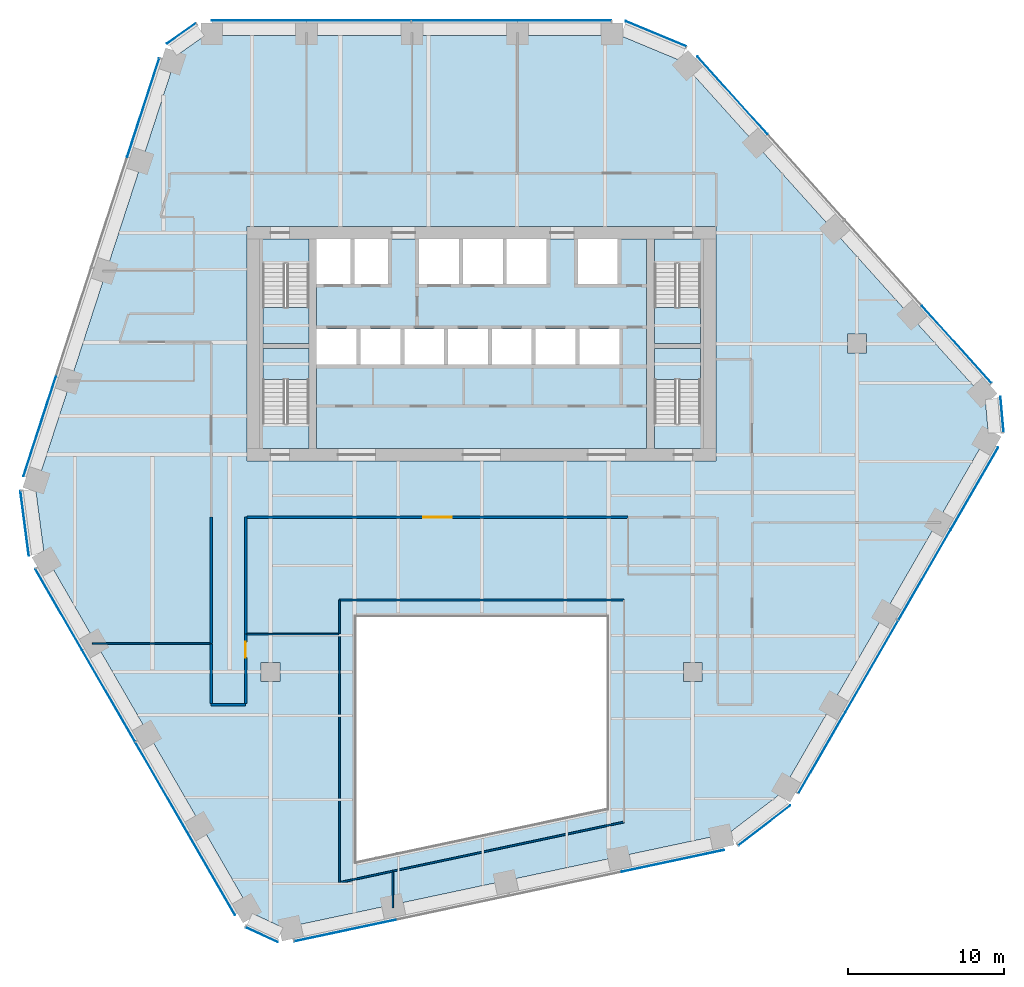
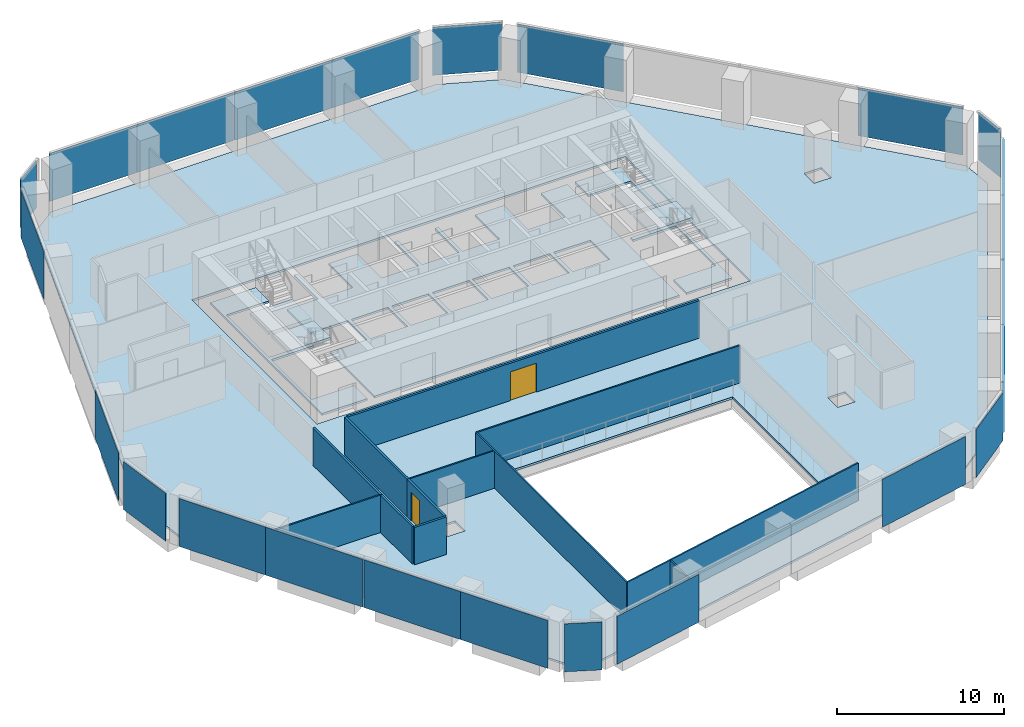
# One storey, part 10 of 16: 24 plates, 12 walls, 8 slabs, 2 doors, 2 openings, 16 elements without a shape of their own.
"""IFC4 building model written with IfcOpenShell, lengths in metres."""

from ifc_helpers import new_model, si_unit, direction, frame, frame_2d, origin, origin_2d, place, context, subcontext, project, spatial, polyline, rectangle, outline, extrude, material, layer, layer_set, type_object, element, fill, aggregate, save


model = new_model("IFC4")

# Units and contexts
model_context = context("Model", 3, precision=1e-05, world=origin(), true_north=direction((0.0, 1.0)))
body_context = subcontext(model_context, "Body", "Model", "MODEL_VIEW")
ifc_project = project(units=[si_unit("LENGTHUNIT", "METRE"), si_unit("AREAUNIT", "SQUARE_METRE"), si_unit("VOLUMEUNIT", "CUBIC_METRE"), si_unit("PLANEANGLEUNIT", "RADIAN"), si_unit("MASSUNIT", "GRAM", prefix="KILO")], contexts=[model_context])

# Site, building, storey
site_placement = place(None, origin())
site = spatial("IfcSite", under=ifc_project, at=site_placement, CompositionType="ELEMENT")
building_placement = place(site_placement, origin())
building = spatial("IfcBuilding", under=site, at=building_placement, Name="Isthmus Gate Tower", CompositionType="ELEMENT")
storey_placement = place(building_placement, frame((0.0, 0.0, 155.35009765625)))
storey = spatial("IfcBuildingStorey", under=building, at=storey_placement, Name="L38", CompositionType="ELEMENT", Elevation=155.35009765625)

# Slabs
ifc_material_1 = material(Name="Concrete f'c 40 MPa", Category="concrete")
ifc_layer_1 = layer(ifc_material_1, 0.14990234375)
ifc_layer_set_1 = layer_set([ifc_layer_1], Name="COMPOSITE FLOOR SLAB 150")
slab_type_1 = type_object("IfcSlabType", Name="COMPOSITE FLOOR SLAB 150", PredefinedType="FLOOR", material=ifc_layer_set_1)
slab_1_placement = place(storey_placement, frame((0.0, 0.0, -0.150146484375)))
element("IfcSlab", 1, at=slab_1_placement, inside=storey, type_object=slab_type_1, Name="str-slab-L38-1", PredefinedType="FLOOR", context=body_context, shape_type="SweptSolid", body=[
    extrude(outline(polyline([(12.72802734375, 25.599365234375), (32.21044921875, 3.9619140625), (32.410400390625, 1.736083984375), (19.116455078125, -21.289306640625), (15.8056640625, -23.822509765625), (-12.674072265625, -29.876220703125), (-14.701416015625, -28.936279296875), (-27.995361328125, -5.91064453125), (-28.53369140625, -1.77685546875), (-19.536376953125, 25.9140625), (-17.708740234375, 27.199951171875), (8.87890625, 27.199951171875), (12.72802734375, 25.599365234375)]), holes=[polyline([(-8.0, -10.0), (-8.0, -25.611083984375), (8.0, -22.210205078125), (8.0, -10.0), (-8.0, -10.0)]), polyline([(-14.10009765625, -12.89990234375), (-14.10009765625, -14.10009765625), (-12.89990234375, -14.10009765625), (-12.89990234375, -12.89990234375), (-14.10009765625, -12.89990234375)]), polyline([(14.10009765625, -12.89990234375), (12.89990234375, -12.89990234375), (12.89990234375, -14.10009765625), (14.10009765625, -14.10009765625), (14.10009765625, -12.89990234375)]), polyline([(-15.0, 15.0), (-15.0, 0.0), (15.0, 0.0), (15.0, 15.0), (-15.0, 15.0)]), polyline([(24.60009765625, 6.89990234375), (24.60009765625, 8.10009765625), (23.39990234375, 8.10009765625), (23.39990234375, 6.89990234375), (24.60009765625, 6.89990234375)])]), origin(), (0.0, 0.0, 1.0), 0.150146484375),
])
ifc_material_2 = material(Name="Concrete f'c 40 MPa", Category="concrete")
ifc_layer_2 = layer(ifc_material_2, 0.14990234375)
ifc_layer_set_2 = layer_set([ifc_layer_2], Name="CORE FLOOR SLAB 150")
slab_type_2 = type_object("IfcSlabType", Name="CORE FLOOR SLAB 150", PredefinedType="FLOOR", material=ifc_layer_set_2)
slab_2_placement = place(storey_placement, frame((0.0, 0.0, -0.150146484375)))
element("IfcSlab", 2, at=slab_2_placement, inside=storey, type_object=slab_type_2, Name="L38 core floor", PredefinedType="FLOOR", context=body_context, shape_type="SweptSolid", body=[
    extrude(outline(polyline([(-11.050048828125, 0.800048828125), (-11.050048828125, 2.402099609375), (-14.0, 2.402099609375), (-14.0, 7.199951171875), (-11.050048828125, 7.199951171875), (-11.050048828125, 7.5), (-14.0, 7.5), (-14.0, 12.597900390625), (-11.050048828125, 12.597900390625), (-11.050048828125, 14.199951171875), (-14.199951171875, 14.199951171875), (-14.199951171875, 0.800048828125), (-11.050048828125, 0.800048828125)])), origin(), (0.0, 0.0, 1.0), 0.150146484375),
])
slab_3_placement = place(storey_placement, frame((0.0, 0.0, -0.150146484375)))
element("IfcSlab", 3, at=slab_3_placement, inside=storey, type_object=slab_type_2, Name="L38 core floor", PredefinedType="FLOOR", context=body_context, shape_type="SweptSolid", body=[
    extrude(outline(polyline([(10.550048828125, 14.199951171875), (8.699951171875, 14.199951171875), (8.699951171875, 11.300048828125), (6.14990234375, 11.300048828125), (6.14990234375, 14.199951171875), (4.14990234375, 14.199951171875), (4.14990234375, 11.300048828125), (1.60009765625, 11.300048828125), (1.60009765625, 14.199951171875), (1.35009765625, 14.199951171875), (1.35009765625, 11.300048828125), (-1.199951171875, 11.300048828125), (-1.199951171875, 14.199951171875), (-1.449951171875, 14.199951171875), (-1.449951171875, 11.300048828125), (-4.0, 11.300048828125), (-4.0, 14.199951171875), (-6.0, 14.199951171875), (-6.0, 11.300048828125), (-8.14990234375, 11.300048828125), (-8.14990234375, 14.199951171875), (-8.39990234375, 14.199951171875), (-8.39990234375, 11.300048828125), (-10.550048828125, 11.300048828125), (-10.550048828125, 8.449951171875), (-8.0, 8.449951171875), (-8.0, 6.14990234375), (-10.550048828125, 6.14990234375), (-10.550048828125, 0.800048828125), (10.550048828125, 0.800048828125), (10.550048828125, 14.199951171875)]), holes=[polyline([(-5.199951171875, 8.449951171875), (-5.199951171875, 6.14990234375), (-7.75, 6.14990234375), (-7.75, 8.449951171875), (-5.199951171875, 8.449951171875)]), polyline([(-2.39990234375, 8.449951171875), (-2.39990234375, 6.14990234375), (-4.949951171875, 6.14990234375), (-4.949951171875, 8.449951171875), (-2.39990234375, 8.449951171875)]), polyline([(0.39990234375, 8.449951171875), (0.39990234375, 6.14990234375), (-2.14990234375, 6.14990234375), (-2.14990234375, 8.449951171875), (0.39990234375, 8.449951171875)]), polyline([(3.199951171875, 8.449951171875), (3.199951171875, 6.14990234375), (0.64990234375, 6.14990234375), (0.64990234375, 8.449951171875), (3.199951171875, 8.449951171875)]), polyline([(6.0, 8.449951171875), (6.0, 6.14990234375), (3.449951171875, 6.14990234375), (3.449951171875, 8.449951171875), (6.0, 8.449951171875)]), polyline([(8.800048828125, 8.449951171875), (8.800048828125, 6.14990234375), (6.25, 6.14990234375), (6.25, 8.449951171875), (8.800048828125, 8.449951171875)])]), origin(), (0.0, 0.0, 1.0), 0.150146484375),
])
slab_4_placement = place(storey_placement, frame((0.0, 0.0, -0.150146484375)))
element("IfcSlab", 4, at=slab_4_placement, inside=storey, type_object=slab_type_2, Name="L38 core floor", PredefinedType="FLOOR", context=body_context, shape_type="SweptSolid", body=[
    extrude(outline(polyline([(11.050048828125, 14.199951171875), (11.050048828125, 12.597900390625), (14.0, 12.597900390625), (14.0, 7.5), (11.050048828125, 7.5), (11.050048828125, 7.199951171875), (14.0, 7.199951171875), (14.0, 2.402099609375), (11.050048828125, 2.402099609375), (11.050048828125, 0.800048828125), (14.199951171875, 0.800048828125), (14.199951171875, 14.199951171875), (11.050048828125, 14.199951171875)])), origin(), (0.0, 0.0, 1.0), 0.150146484375),
])

# Curtain wall, plates
ifc_material_3 = material(Name="Aluminium, pale champagne anodised", Category="aluminium")
ifc_layer_3 = layer(ifc_material_3, 0.199951171875)
ifc_layer_set_3 = layer_set([ifc_layer_3], Name="CW-1 UNITISED CURTAIN WALL 200 DEEP")
curtain_wall_type = type_object("IfcCurtainWallType", Name="CW-1 UNITISED CURTAIN WALL 200 DEEP", PredefinedType="NOTDEFINED", material=ifc_layer_set_3)
curtain_wall_1_placement = place(storey_placement, origin())
curtain_wall_1 = element("IfcCurtainWall", 5, at=curtain_wall_1_placement, inside=storey, type_object=curtain_wall_type, Name="CW-1 N L38", PredefinedType="NOTDEFINED")
ifc_material_4 = material(Name="Laminated low-iron glass, pale blue tint", Category="glass")
ifc_layer_4 = layer(ifc_material_4, 0.035888671875)
ifc_layer_set_4 = layer_set([ifc_layer_4], Name="CW-1 CLEAR GLASS LITE 36")
plate_type = type_object("IfcPlateType", Name="CW-1 CLEAR GLASS LITE 36", PredefinedType="CURTAIN_PANEL", material=ifc_layer_set_4)
plate_1_placement = place(storey_placement, frame((5.283447265625, 28.181884765625, 0.0), z_axis=(0.0, 0.0, 1.0), x_axis=(-1.0, 0.0, 0.0)))
plate_1 = element("IfcPlate", 6, at=plate_1_placement, type_object=plate_type, Name="CW-1 glass lite", PredefinedType="CURTAIN_PANEL", context=body_context, shape_type="SweptSolid", body=[
    extrude(rectangle(XDim=5.990234375, YDim=0.035888671875, at=origin_2d()), origin(), (0.0, 0.0, 1.0), 3.510009765625),
])
plate_2_placement = place(storey_placement, frame((-1.086669921875, 28.181884765625, 0.0), z_axis=(0.0, 0.0, 1.0), x_axis=(-1.0, 0.0, 0.0)))
plate_2 = element("IfcPlate", 7, at=plate_2_placement, type_object=plate_type, Name="CW-1 glass lite", PredefinedType="CURTAIN_PANEL", context=body_context, shape_type="SweptSolid", body=[
    extrude(rectangle(XDim=6.750244140625, YDim=0.035888671875, at=origin_2d()), origin(), (0.0, 0.0, 1.0), 3.510009765625),
])
plate_3_placement = place(storey_placement, frame((-7.86669921875, 28.181884765625, 0.0), z_axis=(0.0, 0.0, 1.0), x_axis=(-1.0, 0.0, 0.0)))
plate_3 = element("IfcPlate", 8, at=plate_3_placement, type_object=plate_type, Name="CW-1 glass lite", PredefinedType="CURTAIN_PANEL", context=body_context, shape_type="SweptSolid", body=[
    extrude(rectangle(XDim=6.690185546875, YDim=0.035888671875, at=origin_2d()), origin(), (0.0, 0.0, 1.0), 3.510009765625),
])
plate_4_placement = place(storey_placement, frame((-14.23681640625, 28.181884765625, 0.0), z_axis=(0.0, 0.0, 1.0), x_axis=(-1.0, 0.0, 0.0)))
plate_4 = element("IfcPlate", 9, at=plate_4_placement, type_object=plate_type, Name="CW-1 glass lite", PredefinedType="CURTAIN_PANEL", context=body_context, shape_type="SweptSolid", body=[
    extrude(rectangle(XDim=6.050048828125, YDim=0.035888671875, at=origin_2d()), origin(), (0.0, 0.0, 1.0), 3.510009765625),
])
aggregate(curtain_wall_1, [plate_1, plate_2, plate_3, plate_4])

# Curtain wall, plate
curtain_wall_2_placement = place(storey_placement, origin())
curtain_wall_2 = element("IfcCurtainWall", 10, at=curtain_wall_2_placement, inside=storey, type_object=curtain_wall_type, Name="CW-1 N-NW L38", PredefinedType="NOTDEFINED")
plate_5_placement = place(storey_placement, frame((-19.2119140625, 27.343017578125, 0.0), z_axis=(0.0, 0.0, 1.0), x_axis=(-0.81785959165, -0.57541783805, 0.0)))
plate_5 = element("IfcPlate", 11, at=plate_5_placement, type_object=plate_type, Name="CW-1 glass lite", PredefinedType="CURTAIN_PANEL", context=body_context, shape_type="SweptSolid", body=[
    extrude(rectangle(XDim=2.258544921875, YDim=0.035888671875, at=origin_2d()), origin(), (0.0, 0.0, 1.0), 3.510009765625),
])
aggregate(curtain_wall_2, [plate_5])

# Curtain wall, plates
curtain_wall_3_placement = place(storey_placement, origin())
curtain_wall_3 = element("IfcCurtainWall", 12, at=curtain_wall_3_placement, inside=storey, type_object=curtain_wall_type, Name="CW-1 NW L38", PredefinedType="NOTDEFINED")
plate_6_placement = place(storey_placement, frame((-21.647216796875, 22.59521484375, 0.0), z_axis=(0.0, 0.0, 1.0), x_axis=(-0.309016994375, -0.951056516295, 0.0)))
plate_6 = element("IfcPlate", 13, at=plate_6_placement, type_object=plate_type, Name="CW-1 glass lite", PredefinedType="CURTAIN_PANEL", context=body_context, shape_type="SweptSolid", body=[
    extrude(rectangle(XDim=6.630859375, YDim=0.035888671875, at=origin_2d()), origin(), (0.0, 0.0, 1.0), 3.510009765625),
])
plate_7_placement = place(storey_placement, frame((-28.2734375, 2.202392578125, 0.0), z_axis=(0.0, 0.0, 1.0), x_axis=(-0.309016994375, -0.951056516295, 0.0)))
plate_7 = element("IfcPlate", 14, at=plate_7_placement, type_object=plate_type, Name="CW-1 glass lite", PredefinedType="CURTAIN_PANEL", context=body_context, shape_type="SweptSolid", body=[
    extrude(rectangle(XDim=6.690673828125, YDim=0.035888671875, at=origin_2d()), origin(), (0.0, 0.0, 1.0), 3.510009765625),
])
aggregate(curtain_wall_3, [plate_6, plate_7])

# Curtain wall, plate
curtain_wall_4_placement = place(storey_placement, origin())
curtain_wall_4 = element("IfcCurtainWall", 15, at=curtain_wall_4_placement, inside=storey, type_object=curtain_wall_type, Name="CW-1 NW-SW L38", PredefinedType="NOTDEFINED")
plate_8_placement = place(storey_placement, frame((-29.234619140625, -3.9990234375, 0.0), z_axis=(0.0, 0.0, 1.0), x_axis=(0.129164534, -0.991623175988, 0.0)))
plate_8 = element("IfcPlate", 16, at=plate_8_placement, type_object=plate_type, Name="CW-1 glass lite", PredefinedType="CURTAIN_PANEL", context=body_context, shape_type="SweptSolid", body=[
    extrude(rectangle(XDim=4.181396484375, YDim=0.035888671875, at=origin_2d()), origin(), (0.0, 0.0, 1.0), 3.510009765625),
])
aggregate(curtain_wall_4, [plate_8])

# Curtain wall, plates
curtain_wall_5_placement = place(storey_placement, origin())
curtain_wall_5 = element("IfcCurtainWall", 17, at=curtain_wall_5_placement, inside=storey, type_object=curtain_wall_type, Name="CW-1 SW L38", PredefinedType="NOTDEFINED")
plate_9_placement = place(storey_placement, frame((-27.048095703125, -9.515380859375, 0.0), z_axis=(0.0, 0.0, 1.0), x_axis=(0.5, -0.866025403784, 0.0)))
plate_9 = element("IfcPlate", 18, at=plate_9_placement, type_object=plate_type, Name="CW-1 glass lite", PredefinedType="CURTAIN_PANEL", context=body_context, shape_type="SweptSolid", body=[
    extrude(rectangle(XDim=5.990234375, YDim=0.035888671875, at=origin_2d()), origin(), (0.0, 0.0, 1.0), 3.510009765625),
])
plate_10_placement = place(storey_placement, frame((-23.863037109375, -15.031982421875, 0.0), z_axis=(0.0, 0.0, 1.0), x_axis=(0.5, -0.866025403784, 0.0)))
plate_10 = element("IfcPlate", 19, at=plate_10_placement, type_object=plate_type, Name="CW-1 glass lite", PredefinedType="CURTAIN_PANEL", context=body_context, shape_type="SweptSolid", body=[
    extrude(rectangle(XDim=6.750244140625, YDim=0.035888671875, at=origin_2d()), origin(), (0.0, 0.0, 1.0), 3.510009765625),
])
plate_11_placement = place(storey_placement, frame((-20.472900390625, -20.90380859375, 0.0), z_axis=(0.0, 0.0, 1.0), x_axis=(0.5, -0.866025403784, 0.0)))
plate_11 = element("IfcPlate", 20, at=plate_11_placement, type_object=plate_type, Name="CW-1 glass lite", PredefinedType="CURTAIN_PANEL", context=body_context, shape_type="SweptSolid", body=[
    extrude(rectangle(XDim=6.690185546875, YDim=0.035888671875, at=origin_2d()), origin(), (0.0, 0.0, 1.0), 3.510009765625),
])
plate_12_placement = place(storey_placement, frame((-17.287841796875, -26.42041015625, 0.0), z_axis=(0.0, 0.0, 1.0), x_axis=(0.5, -0.866025403784, 0.0)))
plate_12 = element("IfcPlate", 21, at=plate_12_placement, type_object=plate_type, Name="CW-1 glass lite", PredefinedType="CURTAIN_PANEL", context=body_context, shape_type="SweptSolid", body=[
    extrude(rectangle(XDim=6.050048828125, YDim=0.035888671875, at=origin_2d()), origin(), (0.0, 0.0, 1.0), 3.510009765625),
])
aggregate(curtain_wall_5, [plate_9, plate_10, plate_11, plate_12])

# Curtain wall, plate
curtain_wall_6_placement = place(storey_placement, origin())
curtain_wall_6 = element("IfcCurtainWall", 22, at=curtain_wall_6_placement, inside=storey, type_object=curtain_wall_type, Name="CW-1 SW-S L38", PredefinedType="NOTDEFINED")
plate_13_placement = place(storey_placement, frame((-14.07373046875, -30.3095703125, 0.0), z_axis=(0.0, 0.0, 1.0), x_axis=(0.907256261367, -0.420578264073, 0.0)))
plate_13 = element("IfcPlate", 23, at=plate_13_placement, type_object=plate_type, Name="CW-1 glass lite", PredefinedType="CURTAIN_PANEL", context=body_context, shape_type="SweptSolid", body=[
    extrude(rectangle(XDim=2.258544921875, YDim=0.035888671875, at=origin_2d()), origin(), (0.0, 0.0, 1.0), 3.510009765625),
])
aggregate(curtain_wall_6, [plate_13])

# Curtain wall, plates
curtain_wall_7_placement = place(storey_placement, origin())
curtain_wall_7 = element("IfcCurtainWall", 24, at=curtain_wall_7_placement, inside=storey, type_object=curtain_wall_type, Name="CW-1 S L38", PredefinedType="NOTDEFINED")
plate_14_placement = place(storey_placement, frame((-8.744384765625, -30.044677734375, 0.0), z_axis=(0.0, 0.0, 1.0), x_axis=(0.978147600734, 0.207911690818, 0.0)))
plate_14 = element("IfcPlate", 25, at=plate_14_placement, type_object=plate_type, Name="CW-1 glass lite", PredefinedType="CURTAIN_PANEL", context=body_context, shape_type="SweptSolid", body=[
    extrude(rectangle(XDim=6.630859375, YDim=0.035888671875, at=origin_2d()), origin(), (0.0, 0.0, 1.0), 3.510009765625),
])
plate_15_placement = place(storey_placement, frame((12.2294921875, -25.586669921875, 0.0), z_axis=(0.0, 0.0, 1.0), x_axis=(0.978147600734, 0.207911690818, 0.0)))
plate_15 = element("IfcPlate", 26, at=plate_15_placement, type_object=plate_type, Name="CW-1 glass lite", PredefinedType="CURTAIN_PANEL", context=body_context, shape_type="SweptSolid", body=[
    extrude(rectangle(XDim=6.690673828125, YDim=0.035888671875, at=origin_2d()), origin(), (0.0, 0.0, 1.0), 3.510009765625),
])
aggregate(curtain_wall_7, [plate_14, plate_15])

# Curtain wall, plate
curtain_wall_8_placement = place(storey_placement, origin())
curtain_wall_8 = element("IfcCurtainWall", 27, at=curtain_wall_8_placement, inside=storey, type_object=curtain_wall_type, Name="CW-1 S-SE L38", PredefinedType="NOTDEFINED")
plate_16_placement = place(storey_placement, frame((18.08056640625, -23.318359375, 0.0), z_axis=(0.0, 0.0, 1.0), x_axis=(0.794188594387, 0.607671355706, 0.0)))
plate_16 = element("IfcPlate", 28, at=plate_16_placement, type_object=plate_type, Name="CW-1 glass lite", PredefinedType="CURTAIN_PANEL", context=body_context, shape_type="SweptSolid", body=[
    extrude(rectangle(XDim=4.181396484375, YDim=0.035888671875, at=origin_2d()), origin(), (0.0, 0.0, 1.0), 3.510009765625),
])
aggregate(curtain_wall_8, [plate_16])

# Curtain wall, plates
curtain_wall_9_placement = place(storey_placement, origin())
curtain_wall_9 = element("IfcCurtainWall", 29, at=curtain_wall_9_placement, inside=storey, type_object=curtain_wall_type, Name="CW-1 SE L38", PredefinedType="NOTDEFINED")
plate_17_placement = place(storey_placement, frame((21.7646484375, -18.666748046875, 0.0), z_axis=(0.0, 0.0, 1.0), x_axis=(0.5, 0.866025403784, 0.0)))
plate_17 = element("IfcPlate", 30, at=plate_17_placement, type_object=plate_type, Name="CW-1 glass lite", PredefinedType="CURTAIN_PANEL", context=body_context, shape_type="SweptSolid", body=[
    extrude(rectangle(XDim=5.990234375, YDim=0.035888671875, at=origin_2d()), origin(), (0.0, 0.0, 1.0), 3.510009765625),
])
plate_18_placement = place(storey_placement, frame((24.94970703125, -13.14990234375, 0.0), z_axis=(0.0, 0.0, 1.0), x_axis=(0.5, 0.866025403784, 0.0)))
plate_18 = element("IfcPlate", 31, at=plate_18_placement, type_object=plate_type, Name="CW-1 glass lite", PredefinedType="CURTAIN_PANEL", context=body_context, shape_type="SweptSolid", body=[
    extrude(rectangle(XDim=6.750244140625, YDim=0.035888671875, at=origin_2d()), origin(), (0.0, 0.0, 1.0), 3.510009765625),
])
plate_19_placement = place(storey_placement, frame((28.339599609375, -7.278076171875, 0.0), z_axis=(0.0, 0.0, 1.0), x_axis=(0.5, 0.866025403784, 0.0)))
plate_19 = element("IfcPlate", 32, at=plate_19_placement, type_object=plate_type, Name="CW-1 glass lite", PredefinedType="CURTAIN_PANEL", context=body_context, shape_type="SweptSolid", body=[
    extrude(rectangle(XDim=6.690185546875, YDim=0.035888671875, at=origin_2d()), origin(), (0.0, 0.0, 1.0), 3.510009765625),
])
plate_20_placement = place(storey_placement, frame((31.524658203125, -1.761474609375, 0.0), z_axis=(0.0, 0.0, 1.0), x_axis=(0.5, 0.866025403784, 0.0)))
plate_20 = element("IfcPlate", 33, at=plate_20_placement, type_object=plate_type, Name="CW-1 glass lite", PredefinedType="CURTAIN_PANEL", context=body_context, shape_type="SweptSolid", body=[
    extrude(rectangle(XDim=6.050048828125, YDim=0.035888671875, at=origin_2d()), origin(), (0.0, 0.0, 1.0), 3.510009765625),
])
aggregate(curtain_wall_9, [plate_17, plate_18, plate_19, plate_20])

# Curtain wall, plate
curtain_wall_10_placement = place(storey_placement, origin())
curtain_wall_10 = element("IfcCurtainWall", 34, at=curtain_wall_10_placement, inside=storey, type_object=curtain_wall_type, Name="CW-1 SE-NE L38", PredefinedType="NOTDEFINED")
plate_21_placement = place(storey_placement, frame((33.285888671875, 2.966552734375, 0.0), z_axis=(0.0, 0.0, 1.0), x_axis=(-0.089396669717, 0.995996102123, 0.0)))
plate_21 = element("IfcPlate", 35, at=plate_21_placement, type_object=plate_type, Name="CW-1 glass lite", PredefinedType="CURTAIN_PANEL", context=body_context, shape_type="SweptSolid", body=[
    extrude(rectangle(XDim=2.258544921875, YDim=0.035888671875, at=origin_2d()), origin(), (0.0, 0.0, 1.0), 3.510009765625),
])
aggregate(curtain_wall_10, [plate_21])

# Curtain wall, plates
curtain_wall_11_placement = place(storey_placement, origin())
curtain_wall_11 = element("IfcCurtainWall", 36, at=curtain_wall_11_placement, inside=storey, type_object=curtain_wall_type, Name="CW-1 NE L38", PredefinedType="NOTDEFINED")
plate_22_placement = place(storey_placement, frame((30.3916015625, 7.449462890625, 0.0), z_axis=(0.0, 0.0, 1.0), x_axis=(-0.669130606359, 0.743144825477, 0.0)))
plate_22 = element("IfcPlate", 37, at=plate_22_placement, type_object=plate_type, Name="CW-1 glass lite", PredefinedType="CURTAIN_PANEL", context=body_context, shape_type="SweptSolid", body=[
    extrude(rectangle(XDim=6.630859375, YDim=0.035888671875, at=origin_2d()), origin(), (0.0, 0.0, 1.0), 3.510009765625),
])
plate_23_placement = place(storey_placement, frame((16.0439453125, 23.38427734375, 0.0), z_axis=(0.0, 0.0, 1.0), x_axis=(-0.669130606359, 0.743144825477, 0.0)))
plate_23 = element("IfcPlate", 38, at=plate_23_placement, type_object=plate_type, Name="CW-1 glass lite", PredefinedType="CURTAIN_PANEL", context=body_context, shape_type="SweptSolid", body=[
    extrude(rectangle(XDim=6.690673828125, YDim=0.035888671875, at=origin_2d()), origin(), (0.0, 0.0, 1.0), 3.510009765625),
])
aggregate(curtain_wall_11, [plate_22, plate_23])

# Curtain wall, plate
curtain_wall_12_placement = place(storey_placement, origin())
curtain_wall_12 = element("IfcCurtainWall", 39, at=curtain_wall_12_placement, inside=storey, type_object=curtain_wall_type, Name="CW-1 NE-N L38", PredefinedType="NOTDEFINED")
plate_24_placement = place(storey_placement, frame((11.154052734375, 27.3173828125, 0.0), z_axis=(0.0, 0.0, 1.0), x_axis=(-0.923353128387, 0.383951820282, 0.0)))
plate_24 = element("IfcPlate", 40, at=plate_24_placement, type_object=plate_type, Name="CW-1 glass lite", PredefinedType="CURTAIN_PANEL", context=body_context, shape_type="SweptSolid", body=[
    extrude(rectangle(XDim=4.181396484375, YDim=0.035888671875, at=origin_2d()), origin(), (0.0, 0.0, 1.0), 3.510009765625),
])
aggregate(curtain_wall_12, [plate_24])

# Stair, slab
ifc_material_5 = material(Name="Concrete f'c 40 MPa", Category="concrete")
stair_type = type_object("IfcStairType", Name="CORE STAIR 22 RISERS", PredefinedType="HALF_TURN_STAIR", material=ifc_material_5)
stair_1_placement = place(storey_placement, origin())
stair_1 = element("IfcStair", 41, at=stair_1_placement, inside=storey, type_object=stair_type, Name="L38 Exit Stair 1", PredefinedType="HALF_TURN_STAIR")
ifc_material_6 = material(Name="Concrete f'c 40 MPa", Category="concrete")
ifc_layer_5 = layer(ifc_material_6, 0.199951171875)
ifc_layer_set_5 = layer_set([ifc_layer_5])
slab_type_3 = type_object("IfcSlabType", Name="STAIR LANDING RC 200", PredefinedType="LANDING", material=ifc_layer_set_5)
slab_5_placement = place(storey_placement, frame((0.0, 0.0, 1.625)))
slab_5 = element("IfcSlab", 42, at=slab_5_placement, type_object=slab_type_3, Name="ST1 landing 1", PredefinedType="LANDING", context=body_context, shape_type="SweptSolid", body=[
    extrude(outline(polyline([(-14.0, 9.800048828125), (-14.0, 7.5), (-11.050048828125, 7.5), (-11.050048828125, 9.800048828125), (-14.0, 9.800048828125)])), origin(), (0.0, 0.0, 1.0), 0.199951171875),
])
aggregate(stair_1, [slab_5])

stair_2_placement = place(storey_placement, origin())
stair_2 = element("IfcStair", 43, at=stair_2_placement, inside=storey, type_object=stair_type, Name="L38 Exit Stair 2", PredefinedType="HALF_TURN_STAIR")
slab_6_placement = place(storey_placement, frame((0.0, 0.0, 1.625)))
slab_6 = element("IfcSlab", 44, at=slab_6_placement, type_object=slab_type_3, Name="ST2 landing 1", PredefinedType="LANDING", context=body_context, shape_type="SweptSolid", body=[
    extrude(outline(polyline([(11.050048828125, 9.800048828125), (11.050048828125, 7.5), (14.0, 7.5), (14.0, 9.800048828125), (11.050048828125, 9.800048828125)])), origin(), (0.0, 0.0, 1.0), 0.199951171875),
])
aggregate(stair_2, [slab_6])

stair_3_placement = place(storey_placement, origin())
stair_3 = element("IfcStair", 45, at=stair_3_placement, inside=storey, type_object=stair_type, Name="L38 Exit Stair 7", PredefinedType="HALF_TURN_STAIR")
slab_7_placement = place(storey_placement, frame((0.0, 0.0, 1.625)))
slab_7 = element("IfcSlab", 46, at=slab_7_placement, type_object=slab_type_3, Name="ST7 landing 1", PredefinedType="LANDING", context=body_context, shape_type="SweptSolid", body=[
    extrude(outline(polyline([(-11.050048828125, 5.199951171875), (-11.050048828125, 7.199951171875), (-14.0, 7.199951171875), (-14.0, 5.199951171875), (-11.050048828125, 5.199951171875)])), origin(), (0.0, 0.0, 1.0), 0.199951171875),
])
aggregate(stair_3, [slab_7])

stair_4_placement = place(storey_placement, origin())
stair_4 = element("IfcStair", 47, at=stair_4_placement, inside=storey, type_object=stair_type, Name="L38 Exit Stair 8", PredefinedType="HALF_TURN_STAIR")
slab_8_placement = place(storey_placement, frame((0.0, 0.0, 1.625)))
slab_8 = element("IfcSlab", 48, at=slab_8_placement, type_object=slab_type_3, Name="ST8 landing 1", PredefinedType="LANDING", context=body_context, shape_type="SweptSolid", body=[
    extrude(outline(polyline([(14.0, 5.199951171875), (14.0, 7.199951171875), (11.050048828125, 7.199951171875), (11.050048828125, 5.199951171875), (14.0, 5.199951171875)])), origin(), (0.0, 0.0, 1.0), 0.199951171875),
])
aggregate(stair_4, [slab_8])

# Walls
ifc_material_7 = material(Name="Fire-rated laminated glass in steel frame", Category="steel")
ifc_layer_6 = layer(ifc_material_7, 0.10009765625)
ifc_layer_set_6 = layer_set([ifc_layer_6], Name="ATRIUM SCREEN GLAZED WALL 100 120 MIN")
wall_type_1 = type_object("IfcWallType", Name="ATRIUM SCREEN GLAZED WALL 100 120 MIN", PredefinedType="PARTITIONING", material=ifc_layer_set_6)
wall_1_placement = place(storey_placement, frame((-9.10009765625, -8.89990234375, 0.0), z_axis=(0.0, 0.0, 1.0), x_axis=(1.0, 0.0, 0.0)))
element("IfcWall", 49, at=wall_1_placement, inside=storey, type_object=wall_type_1, Name="L38 atrium screen", PredefinedType="PARTITIONING", context=body_context, shape_type="SweptSolid", body=[
    extrude(rectangle(XDim=18.2001953125, YDim=0.10009765625, at=frame_2d((9.10009765625, 0.0))), origin(), (0.0, 0.0, 1.0), 2.7412109375),
])
wall_2_placement = place(storey_placement, frame((9.10009765625, -23.100830078125, 0.0), z_axis=(0.0, 0.0, 1.0), x_axis=(-0.978146710971, -0.207915876778, 0.0)))
element("IfcWall", 50, at=wall_2_placement, inside=storey, type_object=wall_type_1, Name="L38 atrium screen", PredefinedType="PARTITIONING", context=body_context, shape_type="SweptSolid", body=[
    extrude(rectangle(XDim=18.60693359375, YDim=0.10009765625, at=frame_2d((9.303466796875, 0.0))), origin(), (0.0, 0.0, 1.0), 2.7412109375),
])
wall_3_placement = place(storey_placement, frame((-9.10009765625, -26.969482421875, 0.0), z_axis=(0.0, 0.0, 1.0), x_axis=(0.0, 1.0, 0.0)))
element("IfcWall", 51, at=wall_3_placement, inside=storey, type_object=wall_type_1, Name="L38 atrium screen", PredefinedType="PARTITIONING", context=body_context, shape_type="SweptSolid", body=[
    extrude(rectangle(XDim=18.069580078125, YDim=0.10009765625, at=frame_2d((9.03466796875, 0.0))), origin(), (0.0, 0.0, 1.0), 2.7412109375),
])

# Wall, opening, door
ifc_material_8 = material(Name="Gypsum board on steel studs, fire-rated", Category="steel")
ifc_layer_7 = layer(ifc_material_8, 0.14990234375)
ifc_layer_set_7 = layer_set([ifc_layer_7], Name="CORRIDOR WALL 150 60 MIN")
wall_type_2 = type_object("IfcWallType", Name="CORRIDOR WALL 150 60 MIN", PredefinedType="PARTITIONING", material=ifc_layer_set_7)
wall_4_placement = place(storey_placement, frame((9.35009765625, -3.60009765625, 0.0), z_axis=(0.0, 0.0, 1.0), x_axis=(-1.0, 0.0, 0.0)))
wall_4 = element("IfcWall", 52, at=wall_4_placement, inside=storey, type_object=wall_type_2, Name="L38 Corridor Wall 150 60 Min", PredefinedType="PARTITIONING", context=body_context, shape_type="SweptSolid", body=[
    extrude(rectangle(XDim=24.35009765625, YDim=0.14990234375, at=frame_2d((12.175048828125, 0.0))), origin(), (0.0, 0.0, 1.0), 2.7412109375),
])
opening_1_placement = place(wall_4_placement, frame((11.27490234375, 0.0, 0.0)))
opening_1 = element("IfcOpeningElement", 53, at=opening_1_placement, cuts=wall_4, Name="Opening DT-T3C-09", PredefinedType="OPENING", context=body_context, shape_type="SweptSolid", body=[
    extrude(rectangle(XDim=1.800048828125, YDim=2.10009765625, at=frame_2d((0.89990234375, 1.050048828125))), frame((0.0, 0.0849609375, 0.0), z_axis=(0.0, -1.0, 0.0), x_axis=(1.0, 0.0, 0.0)), (0.0, 0.0, 1.0), 0.169921875),
])
ifc_material_9 = material(Name="Solid core timber door leaf, fire-rated", Category="wood")
door_type_1 = type_object("IfcDoorType", Name="FIRE DOOR ROOM 1800 X 2100 60 MIN", OperationType="DOUBLE_DOOR_DOUBLE_SWING", PredefinedType="DOOR", material=ifc_material_9)
door_1_placement = place(opening_1_placement, origin())
door_1 = element("IfcDoor", 54, at=door_1_placement, inside=storey, type_object=door_type_1, Name="L38 room door", OperationType="DOUBLE_DOOR_DOUBLE_SWING", OverallHeight=2.10009765625, OverallWidth=1.800048828125, PredefinedType="DOOR", context=body_context, shape_type="SweptSolid", body=[
    extrude(rectangle(XDim=1.800048828125, YDim=2.10009765625, at=frame_2d((0.89990234375, 1.050048828125))), frame((0.0, 0.02490234375, 0.0), z_axis=(0.0, -1.0, 0.0), x_axis=(1.0, 0.0, 0.0)), (0.0, 0.0, 1.0), 0.050048828125),
])
fill(opening_1, door_1)

# Walls
wall_5_placement = place(storey_placement, frame((-15.10009765625, -3.60009765625, 0.0), z_axis=(0.0, 0.0, 1.0), x_axis=(0.0, -1.0, 0.0)))
element("IfcWall", 55, at=wall_5_placement, inside=storey, type_object=wall_type_2, Name="L38 Corridor Wall 150 60 Min", PredefinedType="PARTITIONING", context=body_context, shape_type="SweptSolid", body=[
    extrude(rectangle(XDim=7.47998046875, YDim=0.14990234375, at=frame_2d((3.739990234375, 0.0))), origin(), (0.0, 0.0, 1.0), 2.7412109375),
])
wall_6_placement = place(storey_placement, frame((-15.10009765625, -15.60009765625, 0.0), z_axis=(0.0, 0.0, 1.0), x_axis=(-1.0, 0.0, 0.0)))
element("IfcWall", 56, at=wall_6_placement, inside=storey, type_object=wall_type_2, Name="L38 Corridor Wall 150 60 Min", PredefinedType="PARTITIONING", context=body_context, shape_type="SweptSolid", body=[
    extrude(rectangle(XDim=2.199951171875, YDim=0.14990234375, at=frame_2d((1.10009765625, 0.0))), origin(), (0.0, 0.0, 1.0), 2.7412109375),
])

# Wall, opening, door
wall_7_placement = place(storey_placement, frame((-15.10009765625, -11.080078125, 0.0), z_axis=(0.0, 0.0, 1.0), x_axis=(0.0, -1.0, 0.0)))
wall_7 = element("IfcWall", 57, at=wall_7_placement, inside=storey, type_object=wall_type_2, Name="L38 Corridor Wall 150 60 Min", PredefinedType="PARTITIONING", context=body_context, shape_type="SweptSolid", body=[
    extrude(rectangle(XDim=4.44482421875, YDim=0.14990234375, at=frame_2d((2.222412109375, 0.0))), origin(), (0.0, 0.0, 1.0), 2.7412109375),
])
opening_2_placement = place(wall_7_placement, frame((0.5, 0.0, 0.0)))
opening_2 = element("IfcOpeningElement", 58, at=opening_2_placement, cuts=wall_7, Name="Opening DT-T3C-11", PredefinedType="OPENING", context=body_context, shape_type="SweptSolid", body=[
    extrude(rectangle(XDim=1.0, YDim=2.10009765625, at=frame_2d((0.5, 1.050048828125))), frame((0.0, 0.0849609375, 0.0), z_axis=(0.0, -1.0, 0.0), x_axis=(1.0, 0.0, 0.0)), (0.0, 0.0, 1.0), 0.169921875),
])
ifc_material_10 = material(Name="Solid core timber door leaf, fire-rated", Category="wood")
door_type_2 = type_object("IfcDoorType", Name="FIRE DOOR ROOM 1000 X 2100 60 MIN", OperationType="SINGLE_SWING_LEFT", PredefinedType="DOOR", material=ifc_material_10)
door_2_placement = place(opening_2_placement, origin())
door_2 = element("IfcDoor", 59, at=door_2_placement, inside=storey, type_object=door_type_2, Name="L38 room door", OperationType="SINGLE_SWING_LEFT", OverallHeight=2.10009765625, OverallWidth=1.0, PredefinedType="DOOR", context=body_context, shape_type="SweptSolid", body=[
    extrude(rectangle(XDim=1.0, YDim=2.10009765625, at=frame_2d((0.5, 1.050048828125))), frame((0.0, 0.02490234375, 0.0), z_axis=(0.0, -1.0, 0.0), x_axis=(1.0, 0.0, 0.0)), (0.0, 0.0, 1.0), 0.050048828125),
])
fill(opening_2, door_2)

# Walls
wall_8_placement = place(storey_placement, frame((-17.300048828125, -11.66796875, 0.0), z_axis=(0.0, 0.0, 1.0), x_axis=(0.0, 1.0, 0.0)))
element("IfcWall", 60, at=wall_8_placement, inside=storey, type_object=wall_type_2, Name="L38 Corridor Wall 150 60 Min", PredefinedType="PARTITIONING", context=body_context, shape_type="SweptSolid", body=[
    extrude(rectangle(XDim=8.06591796875, YDim=0.14990234375, at=frame_2d((4.032958984375, 0.0))), origin(), (0.0, 0.0, 1.0), 2.7412109375),
])
wall_9_placement = place(storey_placement, frame((-17.300048828125, -15.52490234375, 0.0), z_axis=(0.0, 0.0, 1.0), x_axis=(0.0, 1.0, 0.0)))
element("IfcWall", 61, at=wall_9_placement, inside=storey, type_object=wall_type_2, Name="L38 Corridor Wall 150 60 Min", PredefinedType="PARTITIONING", context=body_context, shape_type="SweptSolid", body=[
    extrude(rectangle(XDim=3.806884765625, YDim=0.14990234375, at=frame_2d((1.9033203125, 0.0))), origin(), (0.0, 0.0, 1.0), 2.7412109375),
])
ifc_material_11 = material(Name="Gypsum board on steel studs, fire-rated", Category="steel")
ifc_layer_8 = layer(ifc_material_11, 0.10009765625)
ifc_layer_set_8 = layer_set([ifc_layer_8], Name="ROOM PARTITION 100 30 MIN")
wall_type_3 = type_object("IfcWallType", Name="ROOM PARTITION 100 30 MIN", PredefinedType="PARTITIONING", material=ifc_layer_set_8)
wall_10_placement = place(storey_placement, frame((-24.902099609375, -11.66796875, 0.0), z_axis=(0.0, 0.0, 1.0), x_axis=(1.0, 0.0, 0.0)))
element("IfcWall", 62, at=wall_10_placement, inside=storey, type_object=wall_type_3, Name="L38 Room Partition 100 30 Min", PredefinedType="PARTITIONING", context=body_context, shape_type="SweptSolid", body=[
    extrude(rectangle(XDim=7.527099609375, YDim=0.10009765625, at=frame_2d((3.763671875, 0.0))), origin(), (0.0, 0.0, 1.0), 2.7412109375),
])
wall_11_placement = place(storey_placement, frame((-15.02490234375, -11.080078125, 0.0), z_axis=(0.0, 0.0, 1.0), x_axis=(1.0, 0.0, 0.0)))
element("IfcWall", 63, at=wall_11_placement, inside=storey, type_object=wall_type_3, Name="L38 Room Partition 100 30 Min", PredefinedType="PARTITIONING", context=body_context, shape_type="SweptSolid", body=[
    extrude(rectangle(XDim=5.875, YDim=0.10009765625, at=frame_2d((2.9375, 0.0))), origin(), (0.0, 0.0, 1.0), 2.7412109375),
])
wall_12_placement = place(storey_placement, frame((-5.68505859375, -28.594970703125, 0.0), z_axis=(0.0, 0.0, 1.0), x_axis=(0.0, 1.0, 0.0)))
element("IfcWall", 64, at=wall_12_placement, inside=storey, type_object=wall_type_3, Name="L38 Room Partition 100 30 Min", PredefinedType="PARTITIONING", context=body_context, shape_type="SweptSolid", body=[
    extrude(rectangle(XDim=2.300048828125, YDim=0.10009765625, at=frame_2d((1.14990234375, 0.0))), origin(), (0.0, 0.0, 1.0), 2.7412109375),
])

save(model, "model.ifc")
